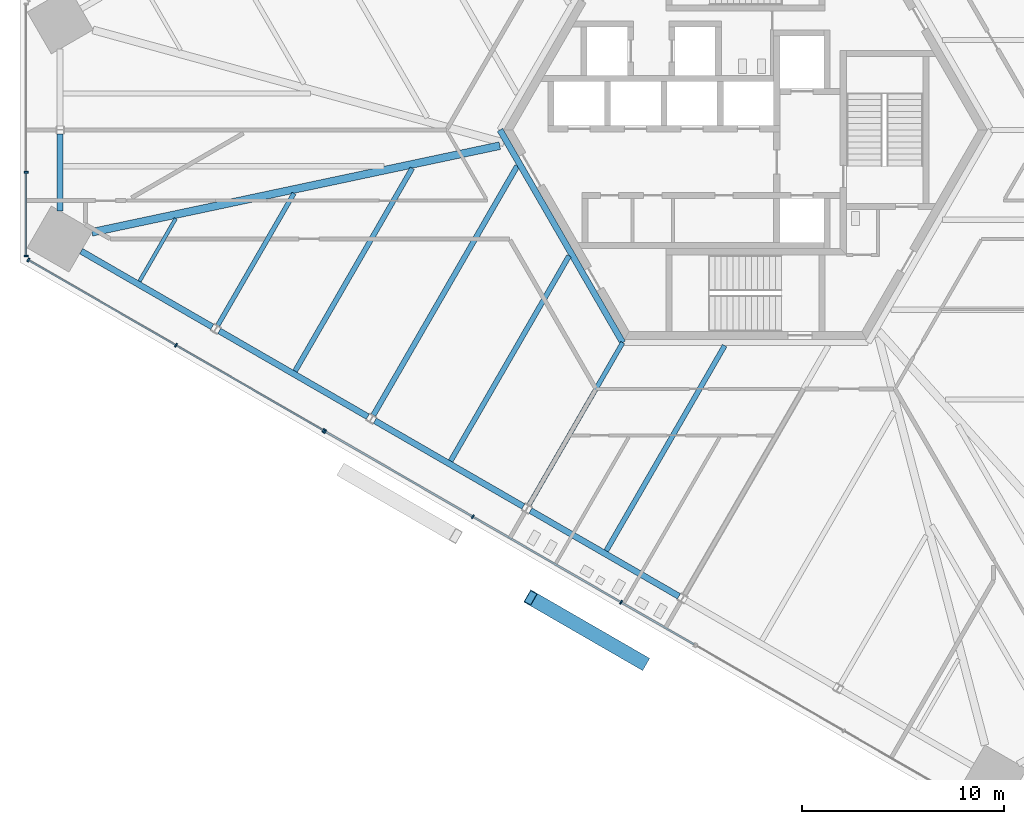
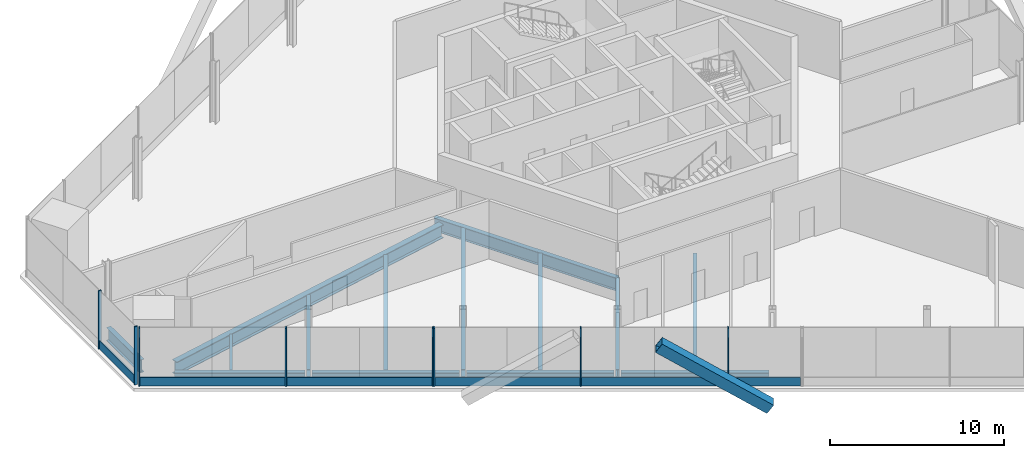
# One storey, part 3 of 15: 15 members, 14 beams, 3 elements without a shape of their own.
"""IFC4 building model written with IfcOpenShell, lengths in metres."""

from ifc_helpers import new_model, si_unit, direction, frame, origin, origin_2d, place, context, subcontext, project, spatial, rectangle, hollow_rectangle, i_section, extrude, source, transform, mapped, material, material_profile, profile_set, type_object, element, aggregate, save


model = new_model("IFC4")

# Units and contexts
model_context = context("Model", 3, precision=1e-05, world=origin(), true_north=direction((0.0, 1.0)))
body_context = subcontext(model_context, "Body", "Model", "MODEL_VIEW")
ifc_project = project(units=[si_unit("LENGTHUNIT", "METRE"), si_unit("AREAUNIT", "SQUARE_METRE"), si_unit("VOLUMEUNIT", "CUBIC_METRE"), si_unit("PLANEANGLEUNIT", "RADIAN"), si_unit("MASSUNIT", "GRAM", prefix="KILO")], contexts=[model_context])

# Site, building, storey
site_placement = place(None, origin())
site = spatial("IfcSite", under=ifc_project, at=site_placement, CompositionType="ELEMENT")
building_placement = place(site_placement, origin())
building = spatial("IfcBuilding", under=site, at=building_placement, Name="Triune Harvest Tower", CompositionType="ELEMENT")
storey_placement = place(building_placement, frame((0.0, 0.0, 28.89990234375)))
storey = spatial("IfcBuildingStorey", under=building, at=storey_placement, Name="L06", CompositionType="ELEMENT", Elevation=28.89990234375)

# Beams
ifc_material_1 = material(Name="Steel ASTM A992 Gr 50", Category="steel")
ifc_material_profile_1 = material_profile(ifc_material_1, i_section(OverallWidth=0.3046875, OverallDepth=0.914306640625, WebThickness=0.0166015625, FlangeThickness=0.02587890625, at=origin_2d()), Name="W36x160")
ifc_profile_set_1 = profile_set([ifc_material_profile_1], Name="Steel ASTM A992 Gr 50")
beam_type_1 = type_object("IfcBeamType", Name="CG-1 Core ring girder W36x160", PredefinedType="BEAM", material=ifc_profile_set_1)
shared_shape_1 = source(origin(), body_context, "Body", "SweptSolid", [
    extrude(i_section(OverallWidth=0.3046875, OverallDepth=0.914306640625, WebThickness=0.0166015625, FlangeThickness=0.02587890625, at=origin_2d()), origin(), (0.0, 0.0, 1.0), 12.176025390625),
])
beam_1_placement = place(storey_placement, frame((-12.176025390625, 0.0, -0.656982421875), z_axis=(0.5000099932, -0.866019634131, 0.0), x_axis=(0.866019634131, 0.5000099932, 0.0)))
element("IfcBeam", 1, at=beam_1_placement, inside=storey, type_object=beam_type_1, Name="beam/L06/CG4", PredefinedType="BEAM", context=body_context, shape_type="MappedRepresentation", body=[
    mapped(shared_shape_1, transform((0.0, 0.0, 0.0), scale=1.0)),
])
ifc_material_2 = material(Name="Steel ASTM A992 Gr 50", Category="steel")
ifc_material_profile_2 = material_profile(ifc_material_2, i_section(OverallWidth=0.383544921875, OverallDepth=0.9423828125, WebThickness=0.022216796875, FlangeThickness=0.039794921875, at=origin_2d()), Name="W36x232")
ifc_profile_set_2 = profile_set([ifc_material_profile_2], Name="Steel ASTM A992 Gr 50")
beam_type_2 = type_object("IfcBeamType", Name="HG-1 Hip girder W36x232", PredefinedType="BEAM", material=ifc_profile_set_2)
shared_shape_2 = source(origin(), body_context, "Body", "SweptSolid", [
    extrude(i_section(OverallWidth=0.383544921875, OverallDepth=0.9423828125, WebThickness=0.022216796875, FlangeThickness=0.039794921875, at=origin_2d()), origin(), (0.0, 0.0, 1.0), 20.676025390625),
])
beam_2_placement = place(storey_placement, frame((-32.4091796875, -5.07470703125, -0.671142578125), z_axis=(0.978185071399, 0.207735327022, 0.0), x_axis=(-0.207735327022, 0.978185071399, 0.0)))
element("IfcBeam", 2, at=beam_2_placement, inside=storey, type_object=beam_type_2, Name="beam/L06/HG5", PredefinedType="BEAM", context=body_context, shape_type="MappedRepresentation", body=[
    mapped(shared_shape_2, transform((0.0, 0.0, 0.0), scale=1.0)),
])
ifc_material_3 = material(Name="Steel ASTM A992 Gr 50", Category="steel")
ifc_material_profile_3 = material_profile(ifc_material_3, i_section(OverallWidth=0.22900390625, OverallDepth=0.612060546875, WebThickness=0.011962890625, FlangeThickness=0.01953125, at=origin_2d()), Name="W24x84")
ifc_profile_set_3 = profile_set([ifc_material_profile_3], Name="Steel ASTM A992 Gr 50")
beam_type_3 = type_object("IfcBeamType", Name="JT-3 Floor joist W24x84", PredefinedType="JOIST", material=ifc_profile_set_3)
shared_shape_3 = source(origin(), body_context, "Body", "SweptSolid", [
    extrude(i_section(OverallWidth=0.22900390625, OverallDepth=0.612060546875, WebThickness=0.011962890625, FlangeThickness=0.01953125, at=origin_2d()), origin(), (0.0, 0.0, 1.0), 7.558349609375),
])
beam_3_placement = place(storey_placement, frame((-26.170654296875, -9.68896484375, -0.506103515625), z_axis=(0.499991809969, 0.866030132249, 0.0), x_axis=(-0.866030132249, 0.499991809969, 0.0)))
element("IfcBeam", 3, at=beam_3_placement, inside=storey, type_object=beam_type_3, Name="beam/L06/JT28", PredefinedType="JOIST", context=body_context, shape_type="MappedRepresentation", body=[
    mapped(shared_shape_3, transform((0.0, 0.0, 0.0), scale=1.0)),
])
ifc_material_4 = material(Name="Steel ASTM A992 Gr 50", Category="steel")
ifc_material_profile_4 = material_profile(ifc_material_4, i_section(OverallWidth=0.2666015625, OverallDepth=0.7568359375, WebThickness=0.013916015625, FlangeThickness=0.019287109375, at=origin_2d()), Name="W30x108")
ifc_profile_set_4 = profile_set([ifc_material_profile_4], Name="Steel ASTM A992 Gr 50")
beam_type_4 = type_object("IfcBeamType", Name="JT-5 Floor joist W30x108", PredefinedType="JOIST", material=ifc_profile_set_4)
shared_shape_4 = source(origin(), body_context, "Body", "SweptSolid", [
    extrude(i_section(OverallWidth=0.2666015625, OverallDepth=0.7568359375, WebThickness=0.013916015625, FlangeThickness=0.019287109375, at=origin_2d()), origin(), (0.0, 0.0, 1.0), 14.2685546875),
])
beam_4_placement = place(storey_placement, frame((-18.454345703125, -14.14404296875, -0.578369140625), z_axis=(0.499987083308, 0.866032861112, 0.0), x_axis=(-0.866032861112, 0.499987083308, 0.0)))
element("IfcBeam", 4, at=beam_4_placement, inside=storey, type_object=beam_type_4, Name="beam/L06/JT30", PredefinedType="JOIST", context=body_context, shape_type="MappedRepresentation", body=[
    mapped(shared_shape_4, transform((0.0, 0.0, 0.0), scale=1.0)),
])
shared_shape_5 = source(origin(), body_context, "Body", "SweptSolid", [
    extrude(i_section(OverallWidth=0.22900390625, OverallDepth=0.612060546875, WebThickness=0.011962890625, FlangeThickness=0.01953125, at=origin_2d()), origin(), (0.0, 0.0, 1.0), 9.300537109375),
])
beam_5_placement = place(storey_placement, frame((-10.738037109375, -18.59912109375, -0.506103515625), z_axis=(0.49999285859, 0.86602952684, 0.0), x_axis=(-0.86602952684, 0.49999285859, 0.0)))
element("IfcBeam", 5, at=beam_5_placement, inside=storey, type_object=beam_type_3, Name="beam/L06/JT32", PredefinedType="JOIST", context=body_context, shape_type="MappedRepresentation", body=[
    mapped(shared_shape_5, transform((0.0, 0.0, 0.0), scale=1.0)),
])
ifc_material_5 = material(Name="Steel ASTM A992 Gr 50", Category="steel")
ifc_material_profile_5 = material_profile(ifc_material_5, i_section(OverallWidth=0.3046875, OverallDepth=0.914306640625, WebThickness=0.0166015625, FlangeThickness=0.02587890625, at=origin_2d()), Name="W36x160")
ifc_profile_set_5 = profile_set([ifc_material_profile_5], Name="Steel ASTM A992 Gr 50")
beam_type_5 = type_object("IfcBeamType", Name="SB-1 Spandrel beam W36x160", PredefinedType="SPANDREL", material=ifc_profile_set_5)
shared_shape_6 = source(origin(), body_context, "Body", "SweptSolid", [
    extrude(i_section(OverallWidth=0.3046875, OverallDepth=0.914306640625, WebThickness=0.0166015625, FlangeThickness=0.02587890625, at=origin_2d()), origin(), (0.0, 0.0, 1.0), 7.508056640625),
])
beam_6_placement = place(storey_placement, frame((-32.949462890625, -6.010009765625, -0.656982421875), z_axis=(0.866033425553, -0.499986105632, 0.0), x_axis=(0.499986105632, 0.866033425553, 0.0)))
element("IfcBeam", 6, at=beam_6_placement, inside=storey, type_object=beam_type_5, Name="beam/L06/SB17", PredefinedType="SPANDREL", context=body_context, shape_type="MappedRepresentation", body=[
    mapped(shared_shape_6, transform((0.0, 0.0, 0.0), scale=1.0)),
])
shared_shape_7 = source(origin(), body_context, "Body", "SweptSolid", [
    extrude(i_section(OverallWidth=0.3046875, OverallDepth=0.914306640625, WebThickness=0.0166015625, FlangeThickness=0.02587890625, at=origin_2d()), origin(), (0.0, 0.0, 1.0), 8.506103515625),
])
for number, where, z_axis, x_axis, name in (
    (7, (-26.097412109375, -9.966064453125, -0.656982421875), (0.866030246746, -0.49999161165, 0.0), (0.49999161165, 0.866030246746, 0.0), "beam/L06/SB18"),
    (8, (-18.381103515625, -14.4208984375, -0.656982421875), (0.866017818397, -0.500013138047, 0.0), (0.500013138047, 0.866017818397, 0.0), "beam/L06/SB19"),
    (9, (-10.664794921875, -18.8759765625, -0.656982421875), (0.866030246746, -0.49999161165, 0.0), (0.49999161165, 0.866030246746, 0.0), "beam/L06/SB20"),
):
    element("IfcBeam", number, at=place(storey_placement, frame(where, z_axis=z_axis, x_axis=x_axis)), inside=storey, type_object=beam_type_5, Name=name, PredefinedType="SPANDREL", context=body_context, shape_type="MappedRepresentation", body=[
        mapped(shared_shape_7, transform((0.0, 0.0, 0.0), scale=1.0)),
    ])
shared_shape_8 = source(origin(), body_context, "Body", "SweptSolid", [
    extrude(i_section(OverallWidth=0.3046875, OverallDepth=0.914306640625, WebThickness=0.0166015625, FlangeThickness=0.02587890625, at=origin_2d()), origin(), (0.0, 0.0, 1.0), 3.822509765625),
])
beam_7_placement = place(storey_placement, frame((-33.988525390625, -0.201904296875, -0.656982421875), z_axis=(0.0, -1.0, 0.0), x_axis=(1.0, 0.0, 0.0)))
element("IfcBeam", 10, at=beam_7_placement, inside=storey, type_object=beam_type_5, Name="beam/L06/SB16", PredefinedType="SPANDREL", context=body_context, shape_type="MappedRepresentation", body=[
    mapped(shared_shape_8, transform((0.0, 0.0, 0.0), scale=1.0)),
])
ifc_material_6 = material(Name="Steel ASTM A992 Gr 50", Category="steel")
ifc_material_profile_6 = material_profile(ifc_material_6, i_section(OverallWidth=0.253662109375, OverallDepth=0.683349609375, WebThickness=0.012451171875, FlangeThickness=0.01904296875, at=origin_2d()), Name="W27x94")
ifc_profile_set_6 = profile_set([ifc_material_profile_6], Name="Steel ASTM A992 Gr 50")
beam_type_6 = type_object("IfcBeamType", Name="JT-4 Floor joist W27x94", PredefinedType="JOIST", material=ifc_profile_set_6)
shared_shape_9 = source(origin(), body_context, "Body", "SweptSolid", [
    extrude(i_section(OverallWidth=0.253662109375, OverallDepth=0.683349609375, WebThickness=0.012451171875, FlangeThickness=0.01904296875, at=origin_2d()), origin(), (0.0, 0.0, 1.0), 11.618896484375),
])
beam_8_placement = place(storey_placement, frame((-22.337890625, -11.96044921875, -0.54150390625), z_axis=(0.500008015982, 0.866020775706, 0.0), x_axis=(-0.866020775706, 0.500008015982, 0.0)))
element("IfcBeam", 11, at=beam_8_placement, inside=storey, type_object=beam_type_6, Name="beam/L06/JT29", PredefinedType="JOIST", context=body_context, shape_type="MappedRepresentation", body=[
    mapped(shared_shape_9, transform((0.0, 0.0, 0.0), scale=1.0)),
])
shared_shape_10 = source(origin(), body_context, "Body", "SweptSolid", [
    extrude(i_section(OverallWidth=0.253662109375, OverallDepth=0.683349609375, WebThickness=0.012451171875, FlangeThickness=0.01904296875, at=origin_2d()), origin(), (0.0, 0.0, 1.0), 11.74755859375),
])
beam_9_placement = place(storey_placement, frame((-6.905517578125, -20.87060546875, -0.54150390625), z_axis=(0.500003693016, 0.86602327161, 0.0), x_axis=(-0.86602327161, 0.500003693016, 0.0)))
element("IfcBeam", 12, at=beam_9_placement, inside=storey, type_object=beam_type_6, Name="beam/L06/JT33", PredefinedType="JOIST", context=body_context, shape_type="MappedRepresentation", body=[
    mapped(shared_shape_10, transform((0.0, 0.0, 0.0), scale=1.0)),
])
shared_shape_11 = source(origin(), body_context, "Body", "SweptSolid", [
    extrude(i_section(OverallWidth=0.253662109375, OverallDepth=0.683349609375, WebThickness=0.012451171875, FlangeThickness=0.01904296875, at=origin_2d()), origin(), (0.0, 0.0, 1.0), 11.7470703125),
])
beam_10_placement = place(storey_placement, frame((-14.62158203125, -16.41552734375, -0.54150390625), z_axis=(0.49999710518, 0.866027075103, 0.0), x_axis=(-0.866027075103, 0.49999710518, 0.0)))
element("IfcBeam", 13, at=beam_10_placement, inside=storey, type_object=beam_type_6, Name="beam/L06/JT31", PredefinedType="JOIST", context=body_context, shape_type="MappedRepresentation", body=[
    mapped(shared_shape_11, transform((0.0, 0.0, 0.0), scale=1.0)),
])
ifc_material_7 = material(Name="Steel ASTM A992 Gr 50", Category="steel")
ifc_material_profile_7 = material_profile(ifc_material_7, i_section(OverallWidth=0.180908203125, OverallDepth=0.41650390625, WebThickness=0.010986328125, FlangeThickness=0.01806640625, at=origin_2d()), Name="W16x57")
ifc_profile_set_7 = profile_set([ifc_material_profile_7], Name="Steel ASTM A992 Gr 50")
beam_type_7 = type_object("IfcBeamType", Name="JT-1 Floor joist W16x57", PredefinedType="JOIST", material=ifc_profile_set_7)
shared_shape_12 = source(origin(), body_context, "Body", "SweptSolid", [
    extrude(i_section(OverallWidth=0.180908203125, OverallDepth=0.41650390625, WebThickness=0.010986328125, FlangeThickness=0.01806640625, at=origin_2d()), origin(), (0.0, 0.0, 1.0), 3.599609375),
])
beam_11_placement = place(storey_placement, frame((-30.05419921875, -7.505615234375, -0.408203125), z_axis=(0.499990559667, 0.866030854095, 0.0), x_axis=(-0.866030854095, 0.499990559667, 0.0)))
element("IfcBeam", 14, at=beam_11_placement, inside=storey, type_object=beam_type_7, Name="beam/L06/JT27", PredefinedType="JOIST", context=body_context, shape_type="MappedRepresentation", body=[
    mapped(shared_shape_12, transform((0.0, 0.0, 0.0), scale=1.0)),
])

# Member
ifc_material_8 = material(Name="Steel ASTM A572 Gr 50", Category="steel")
ifc_material_profile_8 = material_profile(ifc_material_8, hollow_rectangle(XDim=0.699951171875, YDim=0.699951171875, WallThickness=0.0400390625, at=origin_2d()), Name="Box 700x700x40")
ifc_profile_set_8 = profile_set([ifc_material_profile_8], Name="Steel ASTM A572 Gr 50")
member_type_1 = type_object("IfcMemberType", Name="BR-1 Brace Box 700x700x40", PredefinedType="BRACE", material=ifc_profile_set_8)
shared_shape_13 = source(origin(), body_context, "Body", "SweptSolid", [
    extrude(hollow_rectangle(XDim=0.699951171875, YDim=0.699951171875, WallThickness=0.0400390625, at=origin_2d()), origin(), (0.0, 0.0, 1.0), 7.728515625),
])
member_1_placement = place(storey_placement, frame((-5.09521484375, -26.412353515625, 0.0), z_axis=(-0.719588785102, 0.415471781099, 0.556394805391), x_axis=(-0.500015346484, -0.866016543306, 0.0)))
element("IfcMember", 15, at=member_1_placement, inside=storey, type_object=member_type_1, Name="brace/B1-F5/d2/4", PredefinedType="BRACE", context=body_context, shape_type="MappedRepresentation", body=[
    mapped(shared_shape_13, transform((0.0, 0.0, 0.0), scale=1.0)),
])

# Curtain wall, members
ifc_material_9 = material(Name="Aluminium bronze anodised", Category="aluminium")
curtain_wall_type_1 = type_object("IfcCurtainWallType", Name="CW-3 Farm floor curtain wall", PredefinedType="NOTDEFINED", material=ifc_material_9)
curtain_wall_1_placement = place(storey_placement, origin())
curtain_wall_1 = element("IfcCurtainWall", 16, at=curtain_wall_1_placement, inside=storey, type_object=curtain_wall_type_1, Name="CW-3 B1-F4 L06 run 1")
ifc_material_10 = material(Name="Aluminium bronze anodised", Category="aluminium")
ifc_material_profile_9 = material_profile(ifc_material_10, rectangle(XDim=0.199951171875, YDim=0.080078125, at=origin_2d()), Name="MU-3 mullion 80 x 200")
ifc_profile_set_9 = profile_set([ifc_material_profile_9], Name="Aluminium bronze anodised")
member_type_2 = type_object("IfcMemberType", Name="MU-3 mullion 80 x 200", PredefinedType="MULLION", material=ifc_profile_set_9)
shared_shape_14 = source(origin(), body_context, "Body", "SweptSolid", [
    extrude(rectangle(XDim=0.199951171875, YDim=0.080078125, at=origin_2d()), origin(), (0.0, 0.0, 1.0), 4.10009765625),
])
member_2_placement = place(storey_placement, frame((-35.680419921875, -2.098876953125, 0.0), z_axis=(0.0, 0.0, 1.0), x_axis=(1.0, 0.0, 0.0)))
member_2 = element("IfcMember", 17, at=member_2_placement, type_object=member_type_2, Name="CW-3 mullion B1-F4 1.3", PredefinedType="MULLION", context=body_context, shape_type="MappedRepresentation", body=[
    mapped(shared_shape_14, transform((0.0, 0.0, 0.0), scale=1.0)),
])
member_3_placement = place(storey_placement, frame((-35.680419921875, -6.2568359375, 0.0), z_axis=(0.0, 0.0, 1.0), x_axis=(1.0, 0.0, 0.0)))
member_3 = element("IfcMember", 18, at=member_3_placement, type_object=member_type_2, Name="CW-3 mullion B1-F4 1.4", PredefinedType="MULLION", context=body_context, shape_type="MappedRepresentation", body=[
    mapped(shared_shape_14, transform((0.0, 0.0, 0.0), scale=1.0)),
])

curtain_wall_2_placement = place(storey_placement, origin())
curtain_wall_2 = element("IfcCurtainWall", 19, at=curtain_wall_2_placement, inside=storey, type_object=curtain_wall_type_1, Name="CW-3 B1-F5 L06 run 1")
member_4_placement = place(storey_placement, frame((-35.56787109375, -6.451904296875, 0.0), z_axis=(0.0, 0.0, 1.0), x_axis=(0.500001122288, 0.86602475583, 0.0)))
member_4 = element("IfcMember", 20, at=member_4_placement, type_object=member_type_2, Name="CW-3 mullion B1-F5 1.1", PredefinedType="MULLION", context=body_context, shape_type="MappedRepresentation", body=[
    mapped(shared_shape_14, transform((0.0, 0.0, 0.0), scale=1.0)),
])
member_5_placement = place(storey_placement, frame((-28.243408203125, -10.6806640625, 0.0), z_axis=(0.0, 0.0, 1.0), x_axis=(0.500001122288, 0.86602475583, 0.0)))
member_5 = element("IfcMember", 21, at=member_5_placement, type_object=member_type_2, Name="CW-3 mullion B1-F5 1.3", PredefinedType="MULLION", context=body_context, shape_type="MappedRepresentation", body=[
    mapped(shared_shape_14, transform((0.0, 0.0, 0.0), scale=1.0)),
])
member_6_placement = place(storey_placement, frame((-20.919189453125, -14.9091796875, 0.0), z_axis=(0.0, 0.0, 1.0), x_axis=(0.500001122288, 0.86602475583, 0.0)))
member_6 = element("IfcMember", 22, at=member_6_placement, type_object=member_type_2, Name="CW-3 mullion B1-F5 1.5", PredefinedType="MULLION", context=body_context, shape_type="MappedRepresentation", body=[
    mapped(shared_shape_14, transform((0.0, 0.0, 0.0), scale=1.0)),
])

ifc_material_11 = material(Name="Aluminium bronze anodised", Category="aluminium")
curtain_wall_type_2 = type_object("IfcCurtainWallType", Name="CW-8 Farm floor curtain wall with insulated spandrel infill", PredefinedType="NOTDEFINED", material=ifc_material_11)
curtain_wall_3_placement = place(storey_placement, origin())
curtain_wall_3 = element("IfcCurtainWall", 23, at=curtain_wall_3_placement, inside=storey, type_object=curtain_wall_type_2, Name="CW-8 B1-F5 L06 run 1001")
member_7_placement = place(storey_placement, frame((-20.849853515625, -14.94921875, 0.0), z_axis=(0.0, 0.0, 1.0), x_axis=(0.499997905997, 0.866026612754, 0.0)))
member_7 = element("IfcMember", 24, at=member_7_placement, type_object=member_type_2, Name="CW-8 mullion B1-F5 1001.1", PredefinedType="MULLION", context=body_context, shape_type="MappedRepresentation", body=[
    mapped(shared_shape_14, transform((0.0, 0.0, 0.0), scale=1.0)),
])
member_8_placement = place(storey_placement, frame((-13.525390625, -19.177978515625, 0.0), z_axis=(0.0, 0.0, 1.0), x_axis=(0.499997905997, 0.866026612754, 0.0)))
member_8 = element("IfcMember", 25, at=member_8_placement, type_object=member_type_2, Name="CW-8 mullion B1-F5 1001.3", PredefinedType="MULLION", context=body_context, shape_type="MappedRepresentation", body=[
    mapped(shared_shape_14, transform((0.0, 0.0, 0.0), scale=1.0)),
])
member_9_placement = place(storey_placement, frame((-6.16650390625, -23.4267578125, 0.0), z_axis=(0.0, 0.0, 1.0), x_axis=(0.499997905997, 0.866026612754, 0.0)))
member_9 = element("IfcMember", 26, at=member_9_placement, type_object=member_type_2, Name="CW-8 mullion B1-F5 1001.5", PredefinedType="MULLION", context=body_context, shape_type="MappedRepresentation", body=[
    mapped(shared_shape_14, transform((0.0, 0.0, 0.0), scale=1.0)),
])

# Member
ifc_material_12 = material(Name="Aluminium bronze anodised", Category="aluminium")
ifc_material_profile_10 = material_profile(ifc_material_12, rectangle(XDim=0.090087890625, YDim=0.60009765625, at=origin_2d()), Name="TR-3 transom 90 x 600")
ifc_profile_set_10 = profile_set([ifc_material_profile_10], Name="Aluminium bronze anodised")
member_type_3 = type_object("IfcMemberType", Name="TR-3 transom 90 x 600", PredefinedType="USERDEFINED", material=ifc_profile_set_10)
shared_shape_15 = source(origin(), body_context, "Body", "SweptSolid", [
    extrude(rectangle(XDim=0.090087890625, YDim=0.60009765625, at=origin_2d()), origin(), (0.0, 0.0, 1.0), 4.077880859375),
])
member_10_placement = place(storey_placement, frame((-35.680419921875, -2.138916015625, 0.300048828125), z_axis=(0.0, -1.0, 0.0), x_axis=(1.0, 0.0, 0.0)))
member_10 = element("IfcMember", 27, at=member_10_placement, type_object=member_type_3, Name="CW-3 transom B1-F4 1.2", ObjectType="TRANSOM", PredefinedType="USERDEFINED", context=body_context, shape_type="MappedRepresentation", body=[
    mapped(shared_shape_15, transform((0.0, 0.0, 0.0), scale=1.0)),
])

aggregate(curtain_wall_1, [member_2, member_3, member_10])

shared_shape_16 = source(origin(), body_context, "Body", "SweptSolid", [
    extrude(rectangle(XDim=0.090087890625, YDim=0.60009765625, at=origin_2d()), origin(), (0.0, 0.0, 1.0), 8.37744140625),
])
member_11_placement = place(storey_placement, frame((-20.815185546875, -14.96923828125, 0.300048828125), z_axis=(0.866026892193, -0.499997421992, 0.0), x_axis=(0.499997421992, 0.866026892193, 0.0)))
member_11 = element("IfcMember", 28, at=member_11_placement, type_object=member_type_3, Name="CW-8 transom B1-F5 1001.1", ObjectType="TRANSOM", PredefinedType="USERDEFINED", context=body_context, shape_type="MappedRepresentation", body=[
    mapped(shared_shape_16, transform((0.0, 0.0, 0.0), scale=1.0)),
])

shared_shape_17 = source(origin(), body_context, "Body", "SweptSolid", [
    extrude(rectangle(XDim=0.090087890625, YDim=0.60009765625, at=origin_2d()), origin(), (0.0, 0.0, 1.0), 4.128662109375),
])
member_12_placement = place(storey_placement, frame((-6.1318359375, -23.44677734375, 0.300048828125), z_axis=(0.866047731501, -0.499961325266, 0.0), x_axis=(0.499961325266, 0.866047731501, 0.0)))
member_12 = element("IfcMember", 29, at=member_12_placement, type_object=member_type_3, Name="CW-8 transom B1-F5 1001.3", ObjectType="TRANSOM", PredefinedType="USERDEFINED", context=body_context, shape_type="MappedRepresentation", body=[
    mapped(shared_shape_17, transform((0.0, 0.0, 0.0), scale=1.0)),
])

shared_shape_18 = source(origin(), body_context, "Body", "SweptSolid", [
    extrude(rectangle(XDim=0.090087890625, YDim=0.60009765625, at=origin_2d()), origin(), (0.0, 0.0, 1.0), 8.377685546875),
])
member_13_placement = place(storey_placement, frame((-35.533203125, -6.4716796875, 0.300048828125), z_axis=(0.866014273083, -0.500019278445, 0.0), x_axis=(0.500019278445, 0.866014273083, 0.0)))
member_13 = element("IfcMember", 30, at=member_13_placement, type_object=member_type_3, Name="CW-3 transom B1-F5 1.1", ObjectType="TRANSOM", PredefinedType="USERDEFINED", context=body_context, shape_type="MappedRepresentation", body=[
    mapped(shared_shape_18, transform((0.0, 0.0, 0.0), scale=1.0)),
])

member_14_placement = place(storey_placement, frame((-28.208984375, -10.700439453125, 0.300048828125), z_axis=(0.866014273083, -0.500019278445, 0.0), x_axis=(0.500019278445, 0.866014273083, 0.0)))
member_14 = element("IfcMember", 31, at=member_14_placement, type_object=member_type_3, Name="CW-3 transom B1-F5 1.2", ObjectType="TRANSOM", PredefinedType="USERDEFINED", context=body_context, shape_type="MappedRepresentation", body=[
    mapped(shared_shape_18, transform((0.0, 0.0, 0.0), scale=1.0)),
])

aggregate(curtain_wall_2, [member_4, member_5, member_6, member_13, member_14])

shared_shape_19 = source(origin(), body_context, "Body", "SweptSolid", [
    extrude(rectangle(XDim=0.090087890625, YDim=0.60009765625, at=origin_2d()), origin(), (0.0, 0.0, 1.0), 8.417236328125),
])
member_15_placement = place(storey_placement, frame((-13.49072265625, -19.197998046875, 0.300048828125), z_axis=(0.866019429705, -0.500010347266, 0.0), x_axis=(0.500010347266, 0.866019429705, 0.0)))
member_15 = element("IfcMember", 32, at=member_15_placement, type_object=member_type_3, Name="CW-8 transom B1-F5 1001.2", ObjectType="TRANSOM", PredefinedType="USERDEFINED", context=body_context, shape_type="MappedRepresentation", body=[
    mapped(shared_shape_19, transform((0.0, 0.0, 0.0), scale=1.0)),
])

aggregate(curtain_wall_3, [member_7, member_8, member_9, member_11, member_15, member_12])

save(model, "model.ifc")
